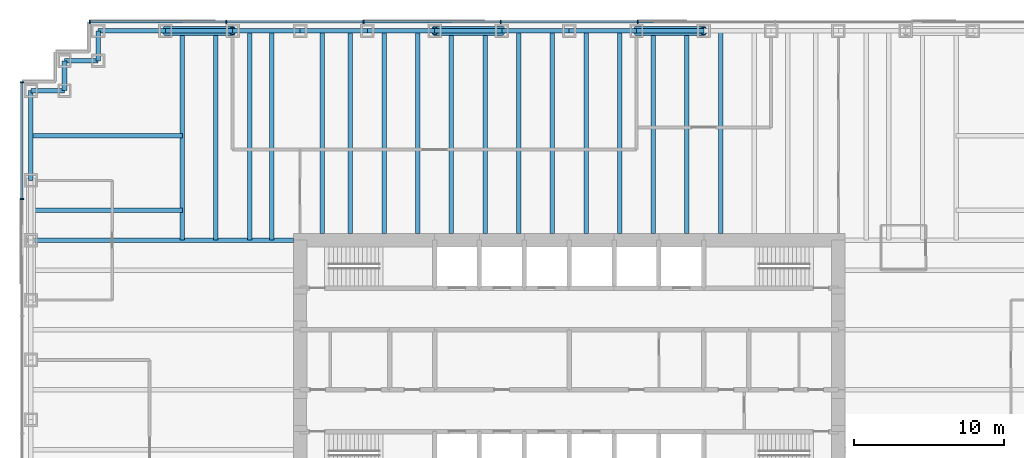
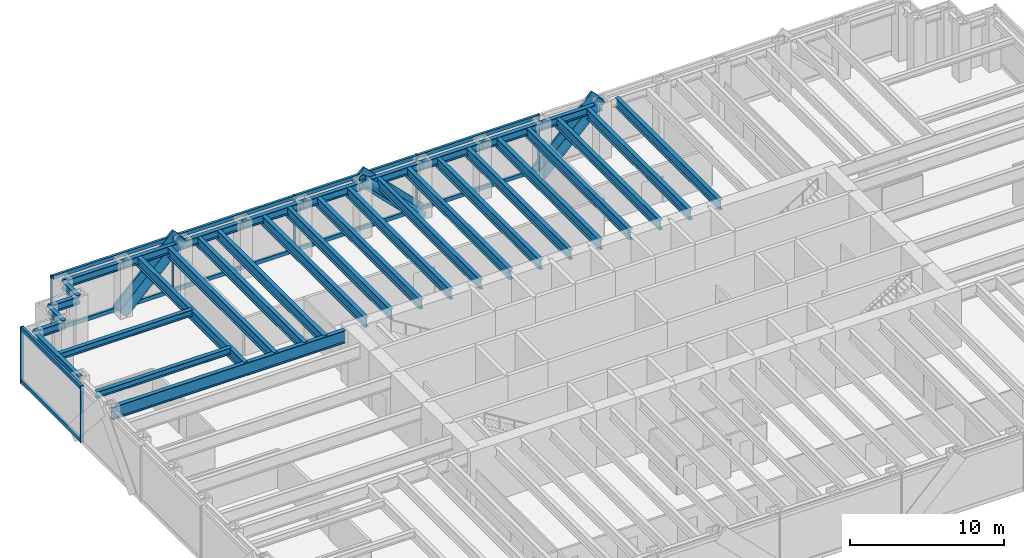
# One storey, part 5 of 13: 34 beams, 23 members, 2 elements without a shape of their own.
"""IFC4 building model written with IfcOpenShell, lengths in metres."""

from ifc_helpers import new_model, si_unit, direction, frame, origin, origin_2d, place, context, subcontext, project, spatial, rectangle, hollow_circle, i_section, extrude, material, material_profile, profile_set, type_object, element, aggregate, save


model = new_model("IFC4")

# Units and contexts
model_context = context("Model", 3, precision=1e-05, world=origin(), true_north=direction((0.0, 1.0)))
body_context = subcontext(model_context, "Body", "Model", "MODEL_VIEW")
ifc_project = project(units=[si_unit("LENGTHUNIT", "METRE"), si_unit("AREAUNIT", "SQUARE_METRE"), si_unit("VOLUMEUNIT", "CUBIC_METRE"), si_unit("PLANEANGLEUNIT", "RADIAN"), si_unit("MASSUNIT", "GRAM", prefix="KILO")], contexts=[model_context])

# Site, building, storey
site_placement = place(None, origin())
site = spatial("IfcSite", under=ifc_project, at=site_placement, CompositionType="ELEMENT")
building_placement = place(site_placement, origin())
building = spatial("IfcBuilding", under=site, at=building_placement, Name="Rheinbord Bourse Tower", CompositionType="ELEMENT")
storey_placement = place(building_placement, frame((0.0, 0.0, 68.0)))
storey = spatial("IfcBuildingStorey", under=building, at=storey_placement, Name="L14", CompositionType="ELEMENT", Elevation=68.0)

# Curtain wall, members
ifc_material_1 = material(Name="Dark glass and black aluminium", Category="aluminium")
curtain_wall_type = type_object("IfcCurtainWallType", Name="CW1 DARK GLASS CURTAIN WALL", PredefinedType="USERDEFINED", material=ifc_material_1)
curtain_wall_1_placement = place(storey_placement, origin())
curtain_wall_1 = element("IfcCurtainWall", 1, at=curtain_wall_1_placement, inside=storey, type_object=curtain_wall_type, Name="Curtain wall CW1 N L14", ObjectType="UNITISED CURTAIN WALL", PredefinedType="USERDEFINED")
ifc_material_2 = material(Name="Black anodised aluminium", Category="aluminium")
ifc_material_profile_1 = material_profile(ifc_material_2, rectangle(XDim=0.179931640625, YDim=1.2099609375, at=origin_2d()), Name="CW1 DIAGONAL MULLION 1210x180")
ifc_profile_set_1 = profile_set([ifc_material_profile_1], Name="Black anodised aluminium")
member_type_1 = type_object("IfcMemberType", Name="CW1 BLACK DIAGONAL MULLION", PredefinedType="USERDEFINED", material=ifc_profile_set_1)
member_1_placement = place(storey_placement, frame((9.0, 46.60009765625, 0.0), z_axis=(0.707106781187, 0.0, 0.707106781187), x_axis=(0.0, 1.0, 0.0)))
member_1 = element("IfcMember", 2, at=member_1_placement, type_object=member_type_1, Name="CW1 diagonal mullion b", ObjectType="DIAGONAL MULLION", PredefinedType="USERDEFINED", context=body_context, shape_type="SweptSolid", body=[
    extrude(rectangle(XDim=0.179931640625, YDim=1.2099609375, at=origin_2d()), origin(), (0.0, 0.0, 1.0), 6.364013671875),
])
member_2_placement = place(storey_placement, frame((31.5, 46.60009765625, 0.0), z_axis=(-0.707106781187, 0.0, 0.707106781187), x_axis=(0.0, -1.0, 0.0)))
member_2 = element("IfcMember", 3, at=member_2_placement, type_object=member_type_1, Name="CW1 diagonal mullion c", ObjectType="DIAGONAL MULLION", PredefinedType="USERDEFINED", context=body_context, shape_type="SweptSolid", body=[
    extrude(rectangle(XDim=0.179931640625, YDim=1.2099609375, at=origin_2d()), origin(), (0.0, 0.0, 1.0), 6.364013671875),
])
member_3_placement = place(storey_placement, frame((40.5, 46.60009765625, 0.0), z_axis=(0.707106781187, 0.0, 0.707106781187), x_axis=(0.0, 1.0, 0.0)))
member_3 = element("IfcMember", 4, at=member_3_placement, type_object=member_type_1, Name="CW1 diagonal mullion d", ObjectType="DIAGONAL MULLION", PredefinedType="USERDEFINED", context=body_context, shape_type="SweptSolid", body=[
    extrude(rectangle(XDim=0.179931640625, YDim=1.2099609375, at=origin_2d()), origin(), (0.0, 0.0, 1.0), 6.364013671875),
])
ifc_material_3 = material(Name="Black anodised aluminium", Category="aluminium")
ifc_material_profile_2 = material_profile(ifc_material_3, rectangle(XDim=0.25, YDim=0.080078125, at=origin_2d()), Name="CW1 MULLION 80x250")
ifc_profile_set_2 = profile_set([ifc_material_profile_2], Name="Black anodised aluminium")
member_type_2 = type_object("IfcMemberType", Name="CW1 BLACK MULLION", PredefinedType="MULLION", material=ifc_profile_set_2)
member_4_placement = place(storey_placement, frame((40.585693359375, 46.60009765625, 0.0), z_axis=(0.0, 0.0, 1.0), x_axis=(0.0, -1.0, 0.0)))
member_4 = element("IfcMember", 5, at=member_4_placement, type_object=member_type_2, Name="CW1 mullion 4", PredefinedType="MULLION", context=body_context, shape_type="SweptSolid", body=[
    extrude(rectangle(XDim=0.25, YDim=0.080078125, at=origin_2d()), origin(), (0.0, 0.0, 1.0), 4.5),
])
member_5_placement = place(storey_placement, frame((31.414306640625, 46.60009765625, 0.0), z_axis=(0.0, 0.0, 1.0), x_axis=(0.0, -1.0, 0.0)))
member_5 = element("IfcMember", 6, at=member_5_placement, type_object=member_type_2, Name="CW1 mullion 5", PredefinedType="MULLION", context=body_context, shape_type="SweptSolid", body=[
    extrude(rectangle(XDim=0.25, YDim=0.080078125, at=origin_2d()), origin(), (0.0, 0.0, 1.0), 4.5),
])
member_6_placement = place(storey_placement, frame((22.242919921875, 46.60009765625, 0.0), z_axis=(0.0, 0.0, 1.0), x_axis=(0.0, -1.0, 0.0)))
member_6 = element("IfcMember", 7, at=member_6_placement, type_object=member_type_2, Name="CW1 mullion 6", PredefinedType="MULLION", context=body_context, shape_type="SweptSolid", body=[
    extrude(rectangle(XDim=0.25, YDim=0.080078125, at=origin_2d()), origin(), (0.0, 0.0, 1.0), 4.5),
])
member_7_placement = place(storey_placement, frame((13.071533203125, 46.60009765625, 0.0), z_axis=(0.0, 0.0, 1.0), x_axis=(0.0, -1.0, 0.0)))
member_7 = element("IfcMember", 8, at=member_7_placement, type_object=member_type_2, Name="CW1 mullion 7", PredefinedType="MULLION", context=body_context, shape_type="SweptSolid", body=[
    extrude(rectangle(XDim=0.25, YDim=0.080078125, at=origin_2d()), origin(), (0.0, 0.0, 1.0), 4.5),
])
member_8_placement = place(storey_placement, frame((3.93994140625, 46.60009765625, 0.0), z_axis=(0.0, 0.0, 1.0), x_axis=(0.0, -1.0, 0.0)))
member_8 = element("IfcMember", 9, at=member_8_placement, type_object=member_type_2, Name="CW1 mullion 8", PredefinedType="MULLION", context=body_context, shape_type="SweptSolid", body=[
    extrude(rectangle(XDim=0.25, YDim=0.080078125, at=origin_2d()), origin(), (0.0, 0.0, 1.0), 4.5),
])

curtain_wall_2_placement = place(storey_placement, origin())
curtain_wall_2 = element("IfcCurtainWall", 10, at=curtain_wall_2_placement, inside=storey, type_object=curtain_wall_type, Name="Curtain wall CW1 W L14", ObjectType="UNITISED CURTAIN WALL", PredefinedType="USERDEFINED")
member_9_placement = place(storey_placement, frame((-0.60009765625, 42.56005859375, 0.0), z_axis=(0.0, 0.0, 1.0), x_axis=(1.0, 0.0, 0.0)))
member_9 = element("IfcMember", 11, at=member_9_placement, type_object=member_type_2, Name="CW1 mullion 1", PredefinedType="MULLION", context=body_context, shape_type="SweptSolid", body=[
    extrude(rectangle(XDim=0.25, YDim=0.080078125, at=origin_2d()), origin(), (0.0, 0.0, 1.0), 4.5),
])
member_10_placement = place(storey_placement, frame((-0.60009765625, 34.760009765625, 0.0), z_axis=(0.0, 0.0, 1.0), x_axis=(1.0, 0.0, 0.0)))
member_10 = element("IfcMember", 12, at=member_10_placement, type_object=member_type_2, Name="CW1 mullion 2", PredefinedType="MULLION", context=body_context, shape_type="SweptSolid", body=[
    extrude(rectangle(XDim=0.25, YDim=0.080078125, at=origin_2d()), origin(), (0.0, 0.0, 1.0), 4.5),
])

# Member
ifc_material_4 = material(Name="Black anodised aluminium", Category="aluminium")
ifc_material_profile_3 = material_profile(ifc_material_4, rectangle(XDim=0.179931640625, YDim=0.300048828125, at=origin_2d()), Name="CW1 TRANSOM 300x180")
ifc_profile_set_3 = profile_set([ifc_material_profile_3], Name="Black anodised aluminium")
member_type_3 = type_object("IfcMemberType", Name="CW1 BLACK TRANSOM", PredefinedType="USERDEFINED", material=ifc_profile_set_3)
member_11_placement = place(storey_placement, frame((40.545654296875, 46.60009765625, 0.14990234375), z_axis=(-1.0, 0.0, 0.0), x_axis=(0.0, -1.0, 0.0)))
member_11 = element("IfcMember", 13, at=member_11_placement, type_object=member_type_3, Name="CW1 transom 4.1", ObjectType="TRANSOM", PredefinedType="USERDEFINED", context=body_context, shape_type="SweptSolid", body=[
    extrude(rectangle(XDim=0.179931640625, YDim=0.300048828125, at=origin_2d()), origin(), (0.0, 0.0, 1.0), 9.09130859375),
])

member_12_placement = place(storey_placement, frame((40.545654296875, 46.60009765625, 4.35009765625), z_axis=(-1.0, 0.0, 0.0), x_axis=(0.0, -1.0, 0.0)))
member_12 = element("IfcMember", 14, at=member_12_placement, type_object=member_type_3, Name="CW1 transom 4.2", ObjectType="TRANSOM", PredefinedType="USERDEFINED", context=body_context, shape_type="SweptSolid", body=[
    extrude(rectangle(XDim=0.179931640625, YDim=0.300048828125, at=origin_2d()), origin(), (0.0, 0.0, 1.0), 9.09130859375),
])

member_13_placement = place(storey_placement, frame((31.374267578125, 46.60009765625, 0.14990234375), z_axis=(-1.0, 0.0, 0.0), x_axis=(0.0, -1.0, 0.0)))
member_13 = element("IfcMember", 15, at=member_13_placement, type_object=member_type_3, Name="CW1 transom 5.1", ObjectType="TRANSOM", PredefinedType="USERDEFINED", context=body_context, shape_type="SweptSolid", body=[
    extrude(rectangle(XDim=0.179931640625, YDim=0.300048828125, at=origin_2d()), origin(), (0.0, 0.0, 1.0), 9.09130859375),
])

member_14_placement = place(storey_placement, frame((31.374267578125, 46.60009765625, 4.35009765625), z_axis=(-1.0, 0.0, 0.0), x_axis=(0.0, -1.0, 0.0)))
member_14 = element("IfcMember", 16, at=member_14_placement, type_object=member_type_3, Name="CW1 transom 5.2", ObjectType="TRANSOM", PredefinedType="USERDEFINED", context=body_context, shape_type="SweptSolid", body=[
    extrude(rectangle(XDim=0.179931640625, YDim=0.300048828125, at=origin_2d()), origin(), (0.0, 0.0, 1.0), 9.09130859375),
])

member_15_placement = place(storey_placement, frame((22.202880859375, 46.60009765625, 0.14990234375), z_axis=(-1.0, 0.0, 0.0), x_axis=(0.0, -1.0, 0.0)))
member_15 = element("IfcMember", 17, at=member_15_placement, type_object=member_type_3, Name="CW1 transom 6.1", ObjectType="TRANSOM", PredefinedType="USERDEFINED", context=body_context, shape_type="SweptSolid", body=[
    extrude(rectangle(XDim=0.179931640625, YDim=0.300048828125, at=origin_2d()), origin(), (0.0, 0.0, 1.0), 9.091552734375),
])

member_16_placement = place(storey_placement, frame((22.202880859375, 46.60009765625, 4.35009765625), z_axis=(-1.0, 0.0, 0.0), x_axis=(0.0, -1.0, 0.0)))
member_16 = element("IfcMember", 18, at=member_16_placement, type_object=member_type_3, Name="CW1 transom 6.2", ObjectType="TRANSOM", PredefinedType="USERDEFINED", context=body_context, shape_type="SweptSolid", body=[
    extrude(rectangle(XDim=0.179931640625, YDim=0.300048828125, at=origin_2d()), origin(), (0.0, 0.0, 1.0), 9.091552734375),
])

member_17_placement = place(storey_placement, frame((13.031494140625, 46.60009765625, 0.14990234375), z_axis=(-1.0, 0.0, 0.0), x_axis=(0.0, -1.0, 0.0)))
member_17 = element("IfcMember", 19, at=member_17_placement, type_object=member_type_3, Name="CW1 transom 7.1", ObjectType="TRANSOM", PredefinedType="USERDEFINED", context=body_context, shape_type="SweptSolid", body=[
    extrude(rectangle(XDim=0.179931640625, YDim=0.300048828125, at=origin_2d()), origin(), (0.0, 0.0, 1.0), 9.051513671875),
])

member_18_placement = place(storey_placement, frame((13.031494140625, 46.60009765625, 4.35009765625), z_axis=(-1.0, 0.0, 0.0), x_axis=(0.0, -1.0, 0.0)))
member_18 = element("IfcMember", 20, at=member_18_placement, type_object=member_type_3, Name="CW1 transom 7.2", ObjectType="TRANSOM", PredefinedType="USERDEFINED", context=body_context, shape_type="SweptSolid", body=[
    extrude(rectangle(XDim=0.179931640625, YDim=0.300048828125, at=origin_2d()), origin(), (0.0, 0.0, 1.0), 9.051513671875),
])

aggregate(curtain_wall_1, [member_4, member_5, member_6, member_7, member_8, member_11, member_12, member_13, member_14, member_15, member_16, member_17, member_18, member_1, member_2, member_3])

member_19_placement = place(storey_placement, frame((-0.60009765625, 42.52001953125, 0.14990234375), z_axis=(0.0, -1.0, 0.0), x_axis=(1.0, 0.0, 0.0)))
member_19 = element("IfcMember", 21, at=member_19_placement, type_object=member_type_3, Name="CW1 transom 1.1", ObjectType="TRANSOM", PredefinedType="USERDEFINED", context=body_context, shape_type="SweptSolid", body=[
    extrude(rectangle(XDim=0.179931640625, YDim=0.300048828125, at=origin_2d()), origin(), (0.0, 0.0, 1.0), 7.719970703125),
])

member_20_placement = place(storey_placement, frame((-0.60009765625, 42.52001953125, 4.35009765625), z_axis=(0.0, -1.0, 0.0), x_axis=(1.0, 0.0, 0.0)))
member_20 = element("IfcMember", 22, at=member_20_placement, type_object=member_type_3, Name="CW1 transom 1.2", ObjectType="TRANSOM", PredefinedType="USERDEFINED", context=body_context, shape_type="SweptSolid", body=[
    extrude(rectangle(XDim=0.179931640625, YDim=0.300048828125, at=origin_2d()), origin(), (0.0, 0.0, 1.0), 7.719970703125),
])

aggregate(curtain_wall_2, [member_9, member_10, member_19, member_20])

# Beams
ifc_material_5 = material(Name="Steel S460", Category="steel")
ifc_material_profile_4 = material_profile(ifc_material_5, i_section(OverallWidth=0.300048828125, OverallDepth=0.800048828125, WebThickness=0.017578125, FlangeThickness=0.032958984375, at=origin_2d()), Name="HEB 800")
ifc_profile_set_4 = profile_set([ifc_material_profile_4], Name="Steel S460")
beam_type_1 = type_object("IfcBeamType", Name="FLOOR BEAM HEB 800", PredefinedType="BEAM", material=ifc_profile_set_4)
for number, where, z_axis, x_axis, name in (
    (23, (10.125, 46.0, 3.919921875), (0.0, -1.0, 0.0), (1.0, 0.0, 0.0), "Floor beam N-9a L15"),
    (24, (12.375, 46.0, 3.919921875), (0.0, -1.0, 0.0), (1.0, 0.0, 0.0), "Floor beam N-9b L15"),
    (25, (14.625, 46.0, 3.919921875), (0.0, -1.0, 0.0), (1.0, 0.0, 0.0), "Floor beam N-13.5a L15"),
    (26, (16.125, 46.0, 3.919921875), (0.0, -1.0, 0.0), (1.0, 0.0, 0.0), "Floor beam N-13.5b L15"),
):
    element("IfcBeam", number, at=place(storey_placement, frame(where, z_axis=z_axis, x_axis=x_axis)), inside=storey, type_object=beam_type_1, Name=name, PredefinedType="BEAM", context=body_context, shape_type="SweptSolid", body=[
        extrude(i_section(OverallWidth=0.300048828125, OverallDepth=0.800048828125, WebThickness=0.017578125, FlangeThickness=0.032958984375, at=origin_2d()), origin(), (0.0, 0.0, 1.0), 14.0),
    ])
for number, where, z_axis, x_axis, name in (
    (27, (19.5, 46.0, 3.919921875), (0.0, -1.0, 0.0), (1.0, 0.0, 0.0), "Floor beam N-18a L15"),
    (28, (21.375, 46.0, 3.919921875), (0.0, -1.0, 0.0), (1.0, 0.0, 0.0), "Floor beam N-18b L15"),
    (29, (23.625, 46.0, 3.919921875), (0.0, -1.0, 0.0), (1.0, 0.0, 0.0), "Floor beam N-22.5a L15"),
    (30, (25.875, 46.0, 3.919921875), (0.0, -1.0, 0.0), (1.0, 0.0, 0.0), "Floor beam N-22.5b L15"),
    (31, (28.125, 46.0, 3.919921875), (0.0, -1.0, 0.0), (1.0, 0.0, 0.0), "Floor beam N-27a L15"),
    (32, (30.375, 46.0, 3.919921875), (0.0, -1.0, 0.0), (1.0, 0.0, 0.0), "Floor beam N-27b L15"),
    (33, (32.625, 46.0, 3.919921875), (0.0, -1.0, 0.0), (1.0, 0.0, 0.0), "Floor beam N-31.5a L15"),
    (34, (34.875, 46.0, 3.919921875), (0.0, -1.0, 0.0), (1.0, 0.0, 0.0), "Floor beam N-31.5b L15"),
    (35, (37.125, 46.0, 3.919921875), (0.0, -1.0, 0.0), (1.0, 0.0, 0.0), "Floor beam N-36a L15"),
    (36, (39.375, 46.0, 3.919921875), (0.0, -1.0, 0.0), (1.0, 0.0, 0.0), "Floor beam N-36b L15"),
    (37, (41.625, 46.0, 3.919921875), (0.0, -1.0, 0.0), (1.0, 0.0, 0.0), "Floor beam N-40.5a L15"),
    (38, (43.875, 46.0, 3.919921875), (0.0, -1.0, 0.0), (1.0, 0.0, 0.0), "Floor beam N-40.5b L15"),
    (39, (46.125, 46.0, 3.919921875), (0.0, -1.0, 0.0), (1.0, 0.0, 0.0), "Floor beam N-45a L15"),
):
    element("IfcBeam", number, at=place(storey_placement, frame(where, z_axis=z_axis, x_axis=x_axis)), inside=storey, type_object=beam_type_1, Name=name, PredefinedType="BEAM", context=body_context, shape_type="SweptSolid", body=[
        extrude(i_section(OverallWidth=0.300048828125, OverallDepth=0.800048828125, WebThickness=0.017578125, FlangeThickness=0.032958984375, at=origin_2d()), origin(), (0.0, 0.0, 1.0), 13.550048828125),
    ])
ifc_material_6 = material(Name="Steel S460", Category="steel")
ifc_material_profile_5 = material_profile(ifc_material_6, i_section(OverallWidth=0.302001953125, OverallDepth=1.008056640625, WebThickness=0.02099609375, FlangeThickness=0.0400390625, at=origin_2d()), Name="HEM 1000")
ifc_profile_set_5 = profile_set([ifc_material_profile_5], Name="Steel S460")
beam_type_2 = type_object("IfcBeamType", Name="GIRDER HEM 1000", PredefinedType="BEAM", material=ifc_profile_set_5)
beam_1_placement = place(storey_placement, frame((0.0, 32.0, 3.81591796875), z_axis=(1.0, 0.0, 0.0), x_axis=(0.0, 1.0, 0.0)))
element("IfcBeam", 40, at=beam_1_placement, inside=storey, type_object=beam_type_2, Name="Girder west 32 L15", PredefinedType="BEAM", context=body_context, shape_type="SweptSolid", body=[
    extrude(i_section(OverallWidth=0.302001953125, OverallDepth=1.008056640625, WebThickness=0.02099609375, FlangeThickness=0.0400390625, at=origin_2d()), origin(), (0.0, 0.0, 1.0), 17.550048828125),
])

# Members
ifc_material_7 = material(Name="Steel S460", Category="steel")
ifc_material_profile_6 = material_profile(ifc_material_7, hollow_circle(Radius=0.304931640625, WallThickness=0.050048828125, at=origin_2d()), Name="CHS 610x50")
ifc_profile_set_6 = profile_set([ifc_material_profile_6], Name="Steel S460")
member_type_4 = type_object("IfcMemberType", Name="MEGABRACE CHS 610x50", PredefinedType="BRACE", material=ifc_profile_set_6)
for number, where, z_axis, x_axis, name in (
    (41, (9.0, 46.0, 0.0), (0.707106781187, 0.0, 0.707106781187), (0.0, 1.0, 0.0), "Megabrace N face line b L14"),
    (42, (31.5, 46.0, 0.0), (-0.707106781187, 0.0, 0.707106781187), (0.0, -1.0, 0.0), "Megabrace N face line c L14"),
    (43, (40.5, 46.0, 0.0), (0.707106781187, 0.0, 0.707106781187), (0.0, 1.0, 0.0), "Megabrace N face line d L14"),
):
    element("IfcMember", number, at=place(storey_placement, frame(where, z_axis=z_axis, x_axis=x_axis)), inside=storey, type_object=member_type_4, Name=name, PredefinedType="BRACE", context=body_context, shape_type="SweptSolid", body=[
        extrude(hollow_circle(Radius=0.304931640625, WallThickness=0.050048828125, at=origin_2d()), origin(), (0.0, 0.0, 1.0), 6.364013671875),
    ])

# Beams
ifc_material_8 = material(Name="Steel S460", Category="steel")
ifc_material_profile_7 = material_profile(ifc_material_8, i_section(OverallWidth=0.304931640625, OverallDepth=0.6201171875, WebThickness=0.02099609375, FlangeThickness=0.0400390625, at=origin_2d()), Name="HEM 600")
ifc_profile_set_7 = profile_set([ifc_material_profile_7], Name="Steel S460")
beam_type_3 = type_object("IfcBeamType", Name="SPANDREL HEM 600", PredefinedType="SPANDREL", material=ifc_profile_set_7)
for number, where, z_axis, x_axis, name in (
    (44, (45.0, 46.0, 4.010009765625), (-1.0, 0.0, 0.0), (0.0, -1.0, 0.0), "Spandrel N-45-N-40.5 under L15"),
    (45, (40.5, 46.0, 4.010009765625), (-1.0, 0.0, 0.0), (0.0, -1.0, 0.0), "Spandrel N-40.5-N-36 under L15"),
    (46, (36.0, 46.0, 4.010009765625), (-1.0, 0.0, 0.0), (0.0, -1.0, 0.0), "Spandrel N-36-N-31.5 under L15"),
    (47, (31.5, 46.0, 4.010009765625), (-1.0, 0.0, 0.0), (0.0, -1.0, 0.0), "Spandrel N-31.5-N-27 under L15"),
    (48, (27.0, 46.0, 4.010009765625), (-1.0, 0.0, 0.0), (0.0, -1.0, 0.0), "Spandrel N-27-N-22.5 under L15"),
    (49, (22.5, 46.0, 4.010009765625), (-1.0, 0.0, 0.0), (0.0, -1.0, 0.0), "Spandrel N-22.5-N-18 under L15"),
    (50, (18.0, 46.0, 4.010009765625), (-1.0, 0.0, 0.0), (0.0, -1.0, 0.0), "Spandrel N-18-N-13.5 under L15"),
    (51, (13.5, 46.0, 4.010009765625), (-1.0, 0.0, 0.0), (0.0, -1.0, 0.0), "Spandrel N-13.5-N-9 under L15"),
    (52, (9.0, 46.0, 4.010009765625), (-1.0, 0.0, 0.0), (0.0, -1.0, 0.0), "Spandrel N-9-NW-E under L15"),
):
    element("IfcBeam", number, at=place(storey_placement, frame(where, z_axis=z_axis, x_axis=x_axis)), inside=storey, type_object=beam_type_3, Name=name, PredefinedType="SPANDREL", context=body_context, shape_type="SweptSolid", body=[
        extrude(i_section(OverallWidth=0.304931640625, OverallDepth=0.6201171875, WebThickness=0.02099609375, FlangeThickness=0.0400390625, at=origin_2d()), origin(), (0.0, 0.0, 1.0), 4.5),
    ])
beam_2_placement = place(storey_placement, frame((4.5, 46.0, 4.010009765625), z_axis=(0.0, -1.0, 0.0), x_axis=(1.0, 0.0, 0.0)))
element("IfcBeam", 53, at=beam_2_placement, inside=storey, type_object=beam_type_3, Name="Spandrel NW-E-NW-D under L15", PredefinedType="SPANDREL", context=body_context, shape_type="SweptSolid", body=[
    extrude(i_section(OverallWidth=0.304931640625, OverallDepth=0.6201171875, WebThickness=0.02099609375, FlangeThickness=0.0400390625, at=origin_2d()), origin(), (0.0, 0.0, 1.0), 2.0),
])
beam_3_placement = place(storey_placement, frame((4.5, 44.0, 4.010009765625), z_axis=(-1.0, 0.0, 0.0), x_axis=(0.0, -1.0, 0.0)))
element("IfcBeam", 54, at=beam_3_placement, inside=storey, type_object=beam_type_3, Name="Spandrel NW-D-NW-C under L15", PredefinedType="SPANDREL", context=body_context, shape_type="SweptSolid", body=[
    extrude(i_section(OverallWidth=0.304931640625, OverallDepth=0.6201171875, WebThickness=0.02099609375, FlangeThickness=0.0400390625, at=origin_2d()), origin(), (0.0, 0.0, 1.0), 2.25),
])
beam_4_placement = place(storey_placement, frame((2.25, 44.0, 4.010009765625), z_axis=(0.0, -1.0, 0.0), x_axis=(1.0, 0.0, 0.0)))
element("IfcBeam", 55, at=beam_4_placement, inside=storey, type_object=beam_type_3, Name="Spandrel NW-C-NW-B under L15", PredefinedType="SPANDREL", context=body_context, shape_type="SweptSolid", body=[
    extrude(i_section(OverallWidth=0.304931640625, OverallDepth=0.6201171875, WebThickness=0.02099609375, FlangeThickness=0.0400390625, at=origin_2d()), origin(), (0.0, 0.0, 1.0), 2.0),
])
beam_5_placement = place(storey_placement, frame((2.25, 42.0, 4.010009765625), z_axis=(-1.0, 0.0, 0.0), x_axis=(0.0, -1.0, 0.0)))
element("IfcBeam", 56, at=beam_5_placement, inside=storey, type_object=beam_type_3, Name="Spandrel NW-B-NW-A under L15", PredefinedType="SPANDREL", context=body_context, shape_type="SweptSolid", body=[
    extrude(i_section(OverallWidth=0.304931640625, OverallDepth=0.6201171875, WebThickness=0.02099609375, FlangeThickness=0.0400390625, at=origin_2d()), origin(), (0.0, 0.0, 1.0), 2.25),
])
beam_6_placement = place(storey_placement, frame((0.0, 42.0, 4.010009765625), z_axis=(0.0, -1.0, 0.0), x_axis=(1.0, 0.0, 0.0)))
element("IfcBeam", 57, at=beam_6_placement, inside=storey, type_object=beam_type_3, Name="Spandrel NW-A-W-36 under L15", PredefinedType="SPANDREL", context=body_context, shape_type="SweptSolid", body=[
    extrude(i_section(OverallWidth=0.304931640625, OverallDepth=0.6201171875, WebThickness=0.02099609375, FlangeThickness=0.0400390625, at=origin_2d()), origin(), (0.0, 0.0, 1.0), 6.0),
])
ifc_material_9 = material(Name="Steel S460", Category="steel")
ifc_material_profile_8 = material_profile(ifc_material_9, i_section(OverallWidth=0.300048828125, OverallDepth=0.5, WebThickness=0.014404296875, FlangeThickness=0.028076171875, at=origin_2d()), Name="HEB 500")
ifc_profile_set_8 = profile_set([ifc_material_profile_8], Name="Steel S460")
beam_type_4 = type_object("IfcBeamType", Name="TIE BEAM HEB 500", PredefinedType="JOIST", material=ifc_profile_set_8)
for number, where, z_axis, x_axis, name in (
    (58, (0.0, 34.0, 4.070068359375), (1.0, 0.0, 0.0), (0.0, 1.0, 0.0), "Tie west 34 L15"),
    (59, (0.0, 39.0, 4.070068359375), (1.0, 0.0, 0.0), (0.0, 1.0, 0.0), "Tie west 39 L15"),
):
    element("IfcBeam", number, at=place(storey_placement, frame(where, z_axis=z_axis, x_axis=x_axis)), inside=storey, type_object=beam_type_4, Name=name, PredefinedType="JOIST", context=body_context, shape_type="SweptSolid", body=[
        extrude(i_section(OverallWidth=0.300048828125, OverallDepth=0.5, WebThickness=0.014404296875, FlangeThickness=0.028076171875, at=origin_2d()), origin(), (0.0, 0.0, 1.0), 10.125),
    ])

save(model, "model.ifc")
